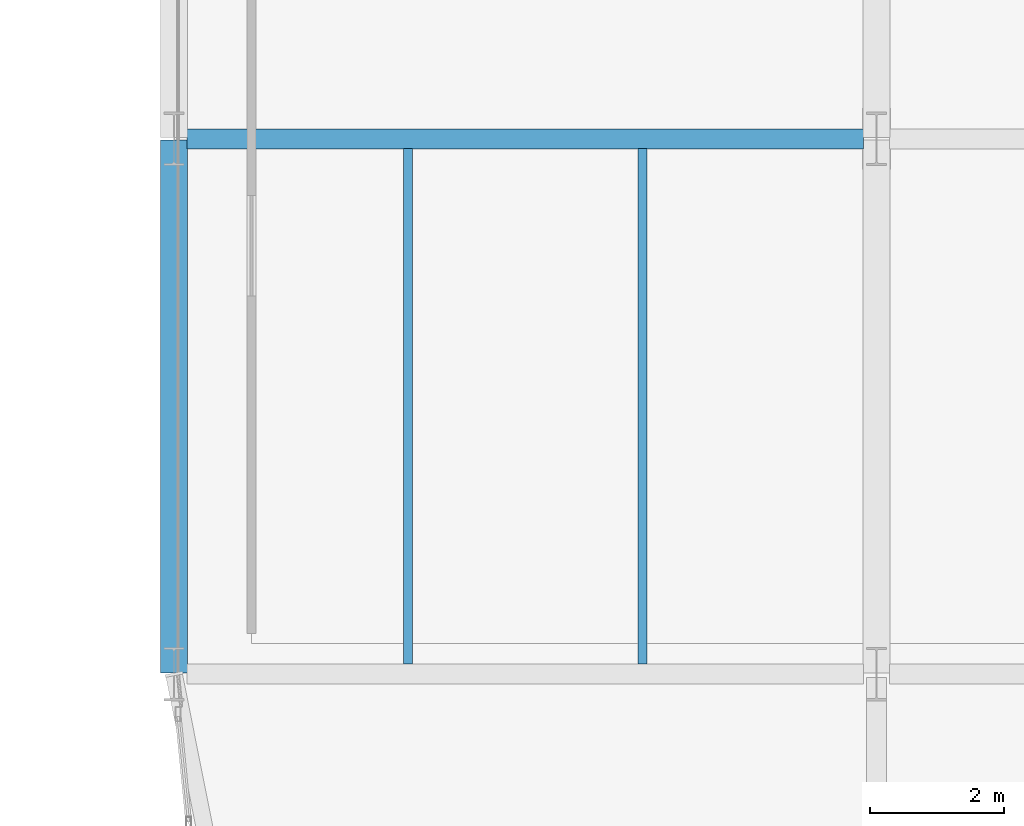
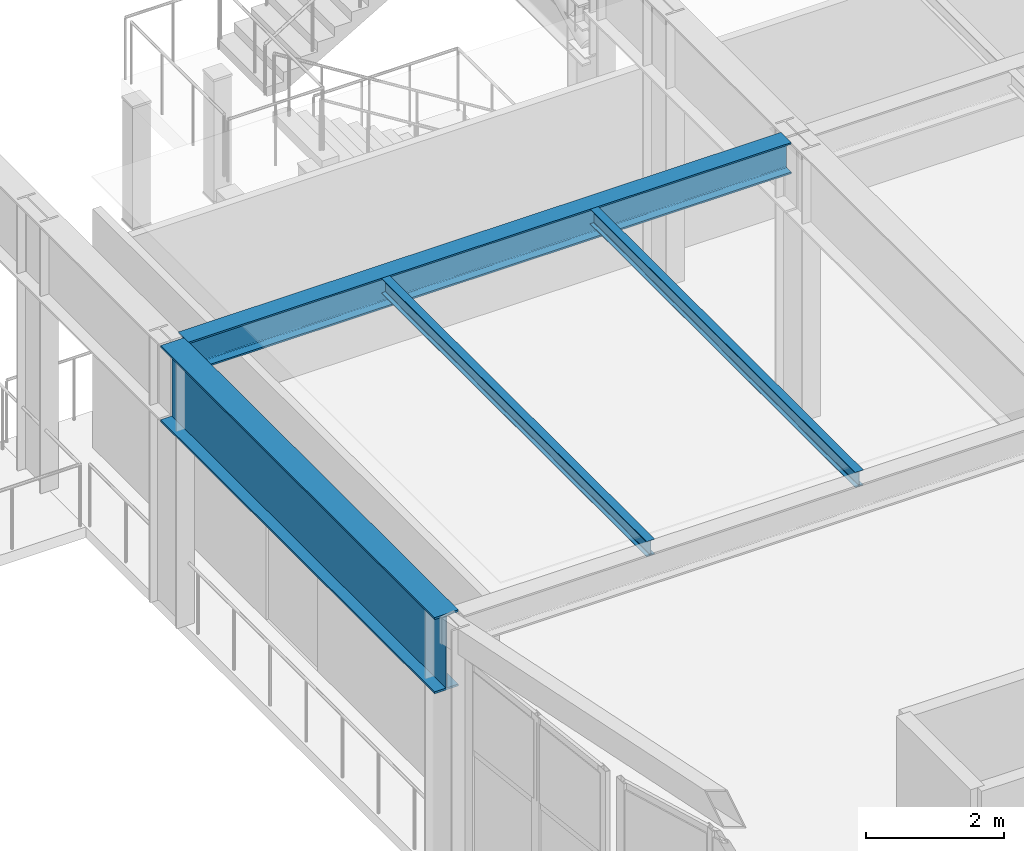
# One storey, part 28 of 143: 4 beams.
"""IFC4 building model written with IfcOpenShell, lengths in metres."""

from ifc_helpers import new_model, si_unit, direction, frame, origin, origin_2d, place, context, subcontext, project, spatial, i_section, extrude, material, material_profile, profile_set, type_object, element, save


model = new_model("IFC4")

# Units and contexts
model_context = context("Model", 3, precision=1e-05, world=origin(), true_north=direction((0.0, 1.0)))
body_context = subcontext(model_context, "Body", "Model", "MODEL_VIEW")
ifc_project = project(units=[si_unit("LENGTHUNIT", "METRE"), si_unit("AREAUNIT", "SQUARE_METRE"), si_unit("VOLUMEUNIT", "CUBIC_METRE"), si_unit("PLANEANGLEUNIT", "RADIAN"), si_unit("MASSUNIT", "GRAM", prefix="KILO")], contexts=[model_context])

# Site, building, storey
site_placement = place(None, origin())
site = spatial("IfcSite", under=ifc_project, at=site_placement, CompositionType="ELEMENT")
building_placement = place(site_placement, origin())
building = spatial("IfcBuilding", under=site, at=building_placement, Name="Marlcrest Central Station", CompositionType="ELEMENT")
storey_placement = place(building_placement, frame((0.0, 0.0, 4.800048828125)))
storey = spatial("IfcBuildingStorey", under=building, at=storey_placement, Name="L01", CompositionType="ELEMENT", Elevation=4.800048828125)

# Beams
ifc_material = material(Name="Steel S355", Category="steel")
ifc_material_profile_1 = material_profile(ifc_material, i_section(OverallWidth=0.300048828125, OverallDepth=0.550048828125, WebThickness=0.014892578125, FlangeThickness=0.029052734375, FilletRadius=0.027099609375, at=origin_2d()), Name="HEB 550")
ifc_profile_set_1 = profile_set([ifc_material_profile_1], Name="Steel S355")
beam_type_1 = type_object("IfcBeamType", Name="BM-11", PredefinedType="BEAM", material=ifc_profile_set_1)
beam_1_placement = place(storey_placement, frame((87.195068359375, 30.5, 4.5400390625), z_axis=(1.0, 0.0, 0.0), x_axis=(0.0, 1.0, 0.0)))
element("IfcBeam", 1, at=beam_1_placement, inside=storey, type_object=beam_type_1, Name="bm-BM-11-L01-01170", PredefinedType="BEAM", context=body_context, shape_type="SweptSolid", body=[
    extrude(i_section(OverallWidth=0.300048828125, OverallDepth=0.550048828125, WebThickness=0.014892578125, FlangeThickness=0.029052734375, FilletRadius=0.027099609375, at=origin_2d()), origin(), (0.0, 0.0, 1.0), 10.10986328125),
])
ifc_material_profile_2 = material_profile(ifc_material, i_section(OverallWidth=0.135009765625, OverallDepth=0.27001953125, WebThickness=0.006591796875, FlangeThickness=0.01025390625, FilletRadius=0.014892578125, at=origin_2d()), Name="IPE 270")
ifc_profile_set_2 = profile_set([ifc_material_profile_2], Name="Steel S355")
beam_type_2 = type_object("IfcBeamType", Name="JS-04", PredefinedType="JOIST", material=ifc_profile_set_2)
for number, where, z_axis, x_axis, name in (
    (2, (90.5, 22.64794921875, 4.679931640625), (0.0, 1.0, 0.0), (-1.0, 0.0, 0.0), "bm-JS-04-L01-01238"),
    (3, (94.0, 22.64794921875, 4.679931640625), (0.0, 1.0, 0.0), (-1.0, 0.0, 0.0), "bm-JS-04-L01-01239"),
):
    element("IfcBeam", number, at=place(storey_placement, frame(where, z_axis=z_axis, x_axis=x_axis)), inside=storey, type_object=beam_type_2, Name=name, PredefinedType="JOIST", context=body_context, shape_type="SweptSolid", body=[
        extrude(i_section(OverallWidth=0.135009765625, OverallDepth=0.27001953125, WebThickness=0.006591796875, FlangeThickness=0.01025390625, FilletRadius=0.014892578125, at=origin_2d()), origin(), (0.0, 0.0, 1.0), 7.7041015625),
    ])
ifc_material_profile_3 = material_profile(ifc_material, i_section(OverallWidth=0.39990234375, OverallDepth=1.35009765625, WebThickness=0.02197265625, FlangeThickness=0.034912109375, at=origin_2d()), Name="PG 1350x400")
ifc_profile_set_3 = profile_set([ifc_material_profile_3], Name="Steel S355")
beam_type_3 = type_object("IfcBeamType", Name="TG-01", PredefinedType="USERDEFINED", material=ifc_profile_set_3)
beam_2_placement = place(storey_placement, frame((87.0, 22.52001953125, 4.139892578125), z_axis=(0.0, 1.0, 0.0), x_axis=(-1.0, 0.0, 0.0)))
element("IfcBeam", 4, at=beam_2_placement, inside=storey, type_object=beam_type_3, Name="bm-TG-01-L01-01231", ObjectType="TRANSFER_GIRDER", PredefinedType="USERDEFINED", context=body_context, shape_type="SweptSolid", body=[
    extrude(i_section(OverallWidth=0.39990234375, OverallDepth=1.35009765625, WebThickness=0.02197265625, FlangeThickness=0.034912109375, at=origin_2d()), origin(), (0.0, 0.0, 1.0), 7.9599609375),
])

save(model, "model.ifc")
